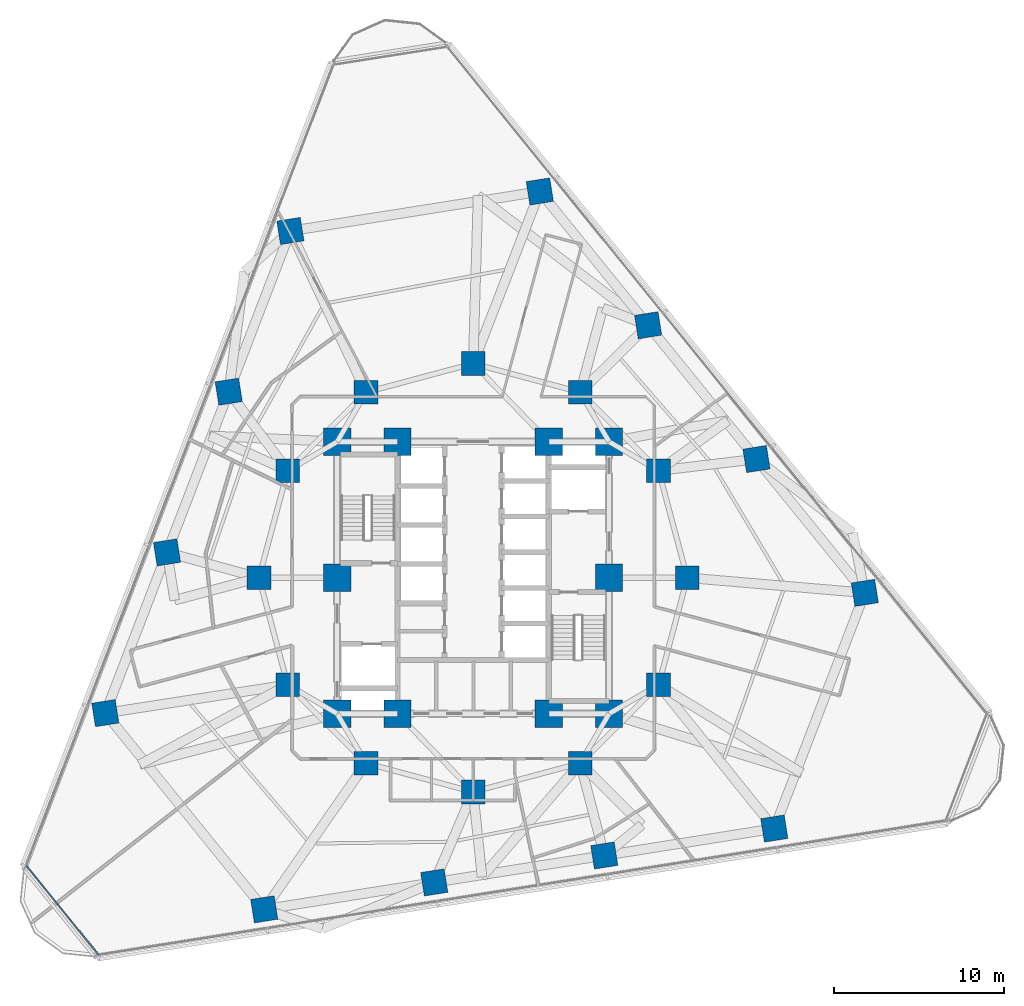
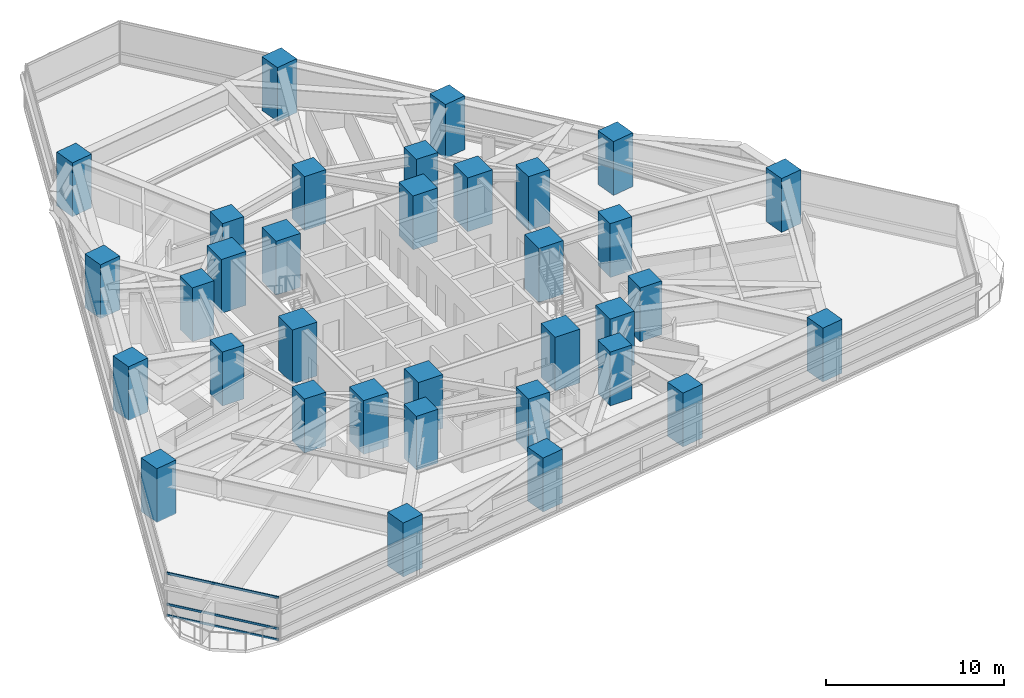
# One storey, part 1 of 13: 34 columns, 3 members, 1 element without a shape of its own.
"""IFC4 building model written with IfcOpenShell, lengths in metres."""

from ifc_helpers import new_model, si_unit, direction, frame, origin, origin_2d, place, context, subcontext, project, spatial, rectangle, extrude, material, layer, layer_set, material_profile, profile_set, type_object, element, aggregate, save


model = new_model("IFC4")

# Units and contexts
model_context = context("Model", 3, precision=1e-05, world=origin(), true_north=direction((0.0, 1.0)))
body_context = subcontext(model_context, "Body", "Model", "MODEL_VIEW")
ifc_project = project(units=[si_unit("LENGTHUNIT", "METRE"), si_unit("AREAUNIT", "SQUARE_METRE"), si_unit("VOLUMEUNIT", "CUBIC_METRE"), si_unit("PLANEANGLEUNIT", "RADIAN"), si_unit("MASSUNIT", "GRAM", prefix="KILO")], contexts=[model_context])

# Site, building, storey
site_placement = place(None, origin())
site = spatial("IfcSite", under=ifc_project, at=site_placement, CompositionType="ELEMENT")
building_placement = place(site_placement, origin())
building = spatial("IfcBuilding", under=site, at=building_placement, Name="Terralouvre Media Tower", CompositionType="ELEMENT")
storey_placement = place(building_placement, frame((0.0, 0.0, 81.5)))
storey = spatial("IfcBuildingStorey", under=building, at=storey_placement, Name="L20", CompositionType="ELEMENT", Elevation=81.5)

# Columns
ifc_material_1 = material(Name="Concrete C60/75", Category="concrete")
ifc_material_profile_1 = material_profile(ifc_material_1, rectangle(XDim=1.39990234375, YDim=1.39990234375, at=origin_2d()), Name="RC 1400x1400")
ifc_profile_set_1 = profile_set([ifc_material_profile_1], Name="Concrete C60/75")
column_type_1 = type_object("IfcColumnType", Name="Structural Column C-RC1400 (RC 1400x1400)", PredefinedType="COLUMN", material=ifc_profile_set_1)
for number, where, z_axis, x_axis, name in (
    (1, (12.60009765625, 0.0, 0.0), (0.0, 0.0, 1.0), (1.0, 0.0, 0.0), "L20 Mega-Frame Column MC01"),
    (2, (10.911865234375, 6.300048828125, 0.0), (0.0, 0.0, 1.0), (1.0, 0.0, 0.0), "L20 Mega-Frame Column MC02"),
    (3, (6.300048828125, 10.911865234375, 0.0), (0.0, 0.0, 1.0), (1.0, 0.0, 0.0), "L20 Mega-Frame Column MC03"),
    (4, (0.0, 12.60009765625, 0.0), (0.0, 0.0, 1.0), (1.0, 0.0, 0.0), "L20 Mega-Frame Column MC04"),
    (5, (-6.300048828125, 10.911865234375, 0.0), (0.0, 0.0, 1.0), (1.0, 0.0, 0.0), "L20 Mega-Frame Column MC05"),
    (6, (-10.911865234375, 6.300048828125, 0.0), (0.0, 0.0, 1.0), (1.0, 0.0, 0.0), "L20 Mega-Frame Column MC06"),
    (7, (-12.60009765625, 0.0, 0.0), (0.0, 0.0, 1.0), (1.0, 0.0, 0.0), "L20 Mega-Frame Column MC07"),
    (8, (-10.911865234375, -6.300048828125, 0.0), (0.0, 0.0, 1.0), (1.0, 0.0, 0.0), "L20 Mega-Frame Column MC08"),
    (9, (-6.300048828125, -10.911865234375, 0.0), (0.0, 0.0, 1.0), (1.0, 0.0, 0.0), "L20 Mega-Frame Column MC09"),
    (10, (0.0, -12.60009765625, 0.0), (0.0, 0.0, 1.0), (1.0, 0.0, 0.0), "L20 Mega-Frame Column MC10"),
    (11, (6.300048828125, -10.911865234375, 0.0), (0.0, 0.0, 1.0), (1.0, 0.0, 0.0), "L20 Mega-Frame Column MC11"),
    (12, (10.911865234375, -6.300048828125, 0.0), (0.0, 0.0, 1.0), (1.0, 0.0, 0.0), "L20 Mega-Frame Column MC12"),
    (13, (-12.291015625, -19.511474609375, 0.0), (0.0, 0.0, 1.0), (0.987688340595, 0.15643446504, 0.0), "L20 Perimeter Mega-Column PC11"),
    (14, (-2.287841796875, -17.927001953125, 0.0), (0.0, 0.0, 1.0), (0.987688340595, 0.15643446504, 0.0), "L20 Perimeter Mega-Column PC12"),
    (15, (7.715576171875, -16.3427734375, 0.0), (0.0, 0.0, 1.0), (0.987688340595, 0.15643446504, 0.0), "L20 Perimeter Mega-Column PC13"),
    (16, (17.71875, -14.75830078125, 0.0), (0.0, 0.0, 1.0), (0.987688340595, 0.15643446504, 0.0), "L20 Perimeter Mega-Column PC14"),
    (17, (23.04296875, -0.888671875, 0.0), (0.0, 0.0, 1.0), (0.987688340595, 0.15643446504, 0.0), "L20 Perimeter Mega-Column PC21"),
    (18, (16.669189453125, 6.982421875, 0.0), (0.0, 0.0, 1.0), (0.987688340595, 0.15643446504, 0.0), "L20 Perimeter Mega-Column PC22"),
    (19, (10.29541015625, 14.853271484375, 0.0), (0.0, 0.0, 1.0), (0.987688340595, 0.15643446504, 0.0), "L20 Perimeter Mega-Column PC23"),
    (20, (3.921630859375, 22.72412109375, 0.0), (0.0, 0.0, 1.0), (0.987688340595, 0.15643446504, 0.0), "L20 Perimeter Mega-Column PC24"),
    (21, (-10.751953125, 20.400146484375, 0.0), (0.0, 0.0, 1.0), (0.987688340595, 0.15643446504, 0.0), "L20 Perimeter Mega-Column PC31"),
    (22, (-14.38134765625, 10.94482421875, 0.0), (0.0, 0.0, 1.0), (0.987688340595, 0.15643446504, 0.0), "L20 Perimeter Mega-Column PC32"),
    (23, (-18.010986328125, 1.489501953125, 0.0), (0.0, 0.0, 1.0), (0.987688340595, 0.15643446504, 0.0), "L20 Perimeter Mega-Column PC33"),
    (24, (-21.640625, -7.9658203125, 0.0), (0.0, 0.0, 1.0), (0.987688340595, 0.15643446504, 0.0), "L20 Perimeter Mega-Column PC34"),
):
    element("IfcColumn", number, at=place(storey_placement, frame(where, z_axis=z_axis, x_axis=x_axis)), inside=storey, type_object=column_type_1, Name=name, PredefinedType="COLUMN", context=body_context, shape_type="SweptSolid", body=[
        extrude(rectangle(XDim=1.39990234375, YDim=1.39990234375, at=origin_2d()), origin(), (0.0, 0.0, 1.0), 3.699951171875),
    ])
ifc_material_2 = material(Name="Concrete C60/75", Category="concrete")
ifc_material_profile_2 = material_profile(ifc_material_2, rectangle(XDim=1.60009765625, YDim=1.60009765625, at=origin_2d()), Name="RC 1600x1600")
ifc_profile_set_2 = profile_set([ifc_material_profile_2], Name="Concrete C60/75")
column_type_2 = type_object("IfcColumnType", Name="Structural Column C-RC1600 (RC 1600x1600)", PredefinedType="COLUMN", material=ifc_profile_set_2)
for number, where, z_axis, x_axis, name in (
    (25, (-8.0, -8.0, 0.0), (0.0, 0.0, 1.0), (1.0, 0.0, 0.0), "L20 Core Pilaster Column CP1"),
    (26, (-4.449951171875, -8.0, 0.0), (0.0, 0.0, 1.0), (1.0, 0.0, 0.0), "L20 Core Pilaster Column CP2"),
    (27, (4.449951171875, -8.0, 0.0), (0.0, 0.0, 1.0), (1.0, 0.0, 0.0), "L20 Core Pilaster Column CP10"),
    (28, (8.0, -8.0, 0.0), (0.0, 0.0, 1.0), (1.0, 0.0, 0.0), "L20 Core Pilaster Column CP3"),
    (29, (8.0, 0.0, 0.0), (0.0, 0.0, 1.0), (1.0, 0.0, 0.0), "L20 Core Pilaster Column CP4"),
    (30, (8.0, 8.0, 0.0), (0.0, 0.0, 1.0), (1.0, 0.0, 0.0), "L20 Core Pilaster Column CP5"),
    (31, (4.449951171875, 8.0, 0.0), (0.0, 0.0, 1.0), (1.0, 0.0, 0.0), "L20 Core Pilaster Column CP9"),
    (32, (-4.449951171875, 8.0, 0.0), (0.0, 0.0, 1.0), (1.0, 0.0, 0.0), "L20 Core Pilaster Column CP6"),
    (33, (-8.0, 8.0, 0.0), (0.0, 0.0, 1.0), (1.0, 0.0, 0.0), "L20 Core Pilaster Column CP7"),
    (34, (-8.0, 0.0, 0.0), (0.0, 0.0, 1.0), (1.0, 0.0, 0.0), "L20 Core Pilaster Column CP8"),
):
    element("IfcColumn", number, at=place(storey_placement, frame(where, z_axis=z_axis, x_axis=x_axis)), inside=storey, type_object=column_type_2, Name=name, PredefinedType="COLUMN", context=body_context, shape_type="SweptSolid", body=[
        extrude(rectangle(XDim=1.60009765625, YDim=1.60009765625, at=origin_2d()), origin(), (0.0, 0.0, 1.0), 3.699951171875),
    ])

# Curtain wall, members
ifc_material_3 = material(Name="Low-iron laminated double glazing with solar-control coating", Category="glass")
ifc_layer = layer(ifc_material_3, 0.1650390625, Name="Rounded Wind-Corner Curved Glazing CW-04")
ifc_layer_set = layer_set([ifc_layer], Name="Low-iron laminated double glazing with solar-control coating")
curtain_wall_type = type_object("IfcCurtainWallType", Name="Rounded Wind-Corner Curved Glazing CW-04", PredefinedType="NOTDEFINED", material=ifc_layer_set)
curtain_wall_placement = place(storey_placement, origin())
curtain_wall = element("IfcCurtainWall", 35, at=curtain_wall_placement, inside=storey, type_object=curtain_wall_type, Name="L20 Rounded Wind-Corner Curtain Wall C0", PredefinedType="NOTDEFINED")
ifc_material_4 = material(Name="Anodised extruded aluminium 6063-T6", Category="aluminium")
ifc_material_profile_3 = material_profile(ifc_material_4, rectangle(XDim=0.074951171875, YDim=0.14990234375, at=origin_2d()), Name="ALU 75x150")
ifc_profile_set_3 = profile_set([ifc_material_profile_3], Name="Anodised extruded aluminium 6063-T6")
member_type = type_object("IfcMemberType", Name="Curtain-Wall Horizontal Transom TR-150", PredefinedType="USERDEFINED", material=ifc_profile_set_3)
member_1_placement = place(storey_placement, frame((-26.281005859375, -16.943359375, 0.03759765625), z_axis=(0.629324238094, -0.777142846167, 0.0), x_axis=(0.777142846167, 0.629324238094, 0.0)))
member_1 = element("IfcMember", 36, at=member_1_placement, type_object=member_type, Name="CW-04 transom 1.1", ObjectType="TRANSOM", PredefinedType="USERDEFINED", context=body_context, shape_type="SweptSolid", body=[
    extrude(rectangle(XDim=0.074951171875, YDim=0.14990234375, at=origin_2d()), origin(), (0.0, 0.0, 1.0), 6.74365234375),
])
member_2_placement = place(storey_placement, frame((-26.281005859375, -16.943359375, 0.800048828125), z_axis=(0.629324238094, -0.777142846167, 0.0), x_axis=(0.777142846167, 0.629324238094, 0.0)))
member_2 = element("IfcMember", 37, at=member_2_placement, type_object=member_type, Name="CW-04 transom 1.2", ObjectType="TRANSOM", PredefinedType="USERDEFINED", context=body_context, shape_type="SweptSolid", body=[
    extrude(rectangle(XDim=0.074951171875, YDim=0.14990234375, at=origin_2d()), origin(), (0.0, 0.0, 1.0), 6.74365234375),
])
member_3_placement = place(storey_placement, frame((-26.281005859375, -16.943359375, 2.922607421875), z_axis=(0.629324238094, -0.777142846167, 0.0), x_axis=(0.777142846167, 0.629324238094, 0.0)))
member_3 = element("IfcMember", 38, at=member_3_placement, type_object=member_type, Name="CW-04 transom 1.3", ObjectType="TRANSOM", PredefinedType="USERDEFINED", context=body_context, shape_type="SweptSolid", body=[
    extrude(rectangle(XDim=0.074951171875, YDim=0.14990234375, at=origin_2d()), origin(), (0.0, 0.0, 1.0), 6.74365234375),
])
aggregate(curtain_wall, [member_1, member_2, member_3])

save(model, "model.ifc")
